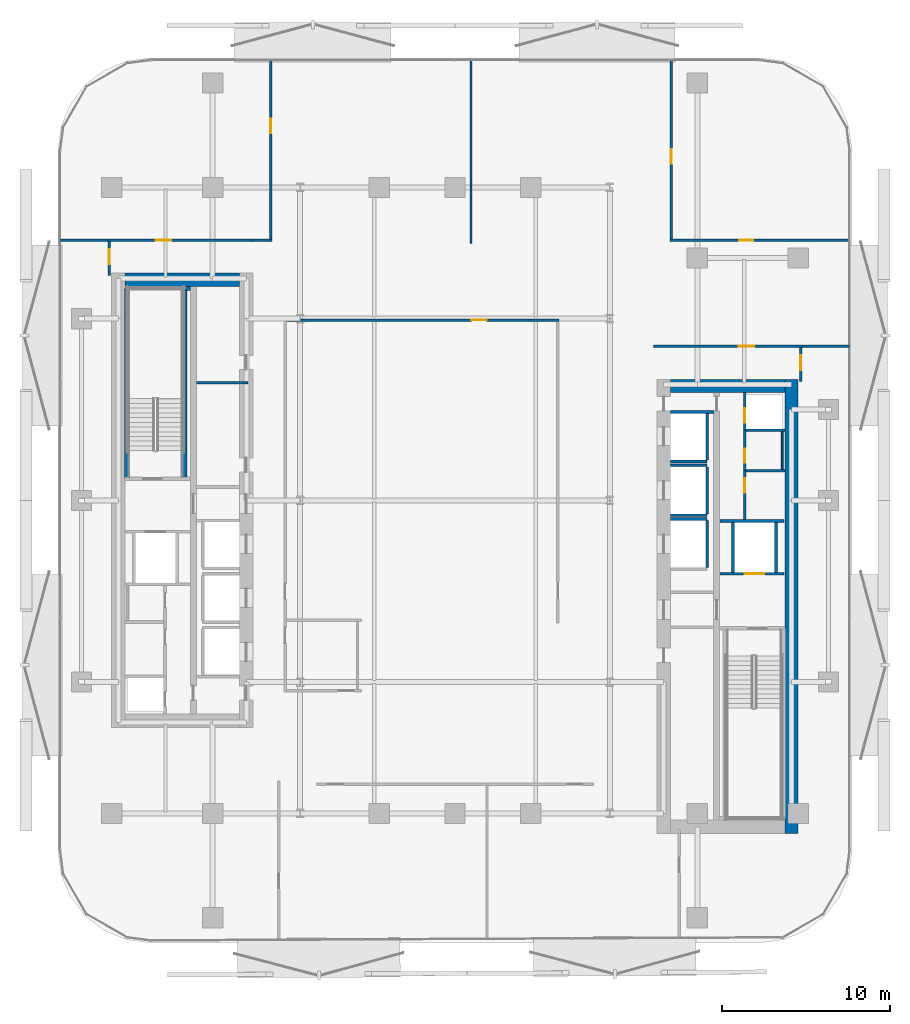
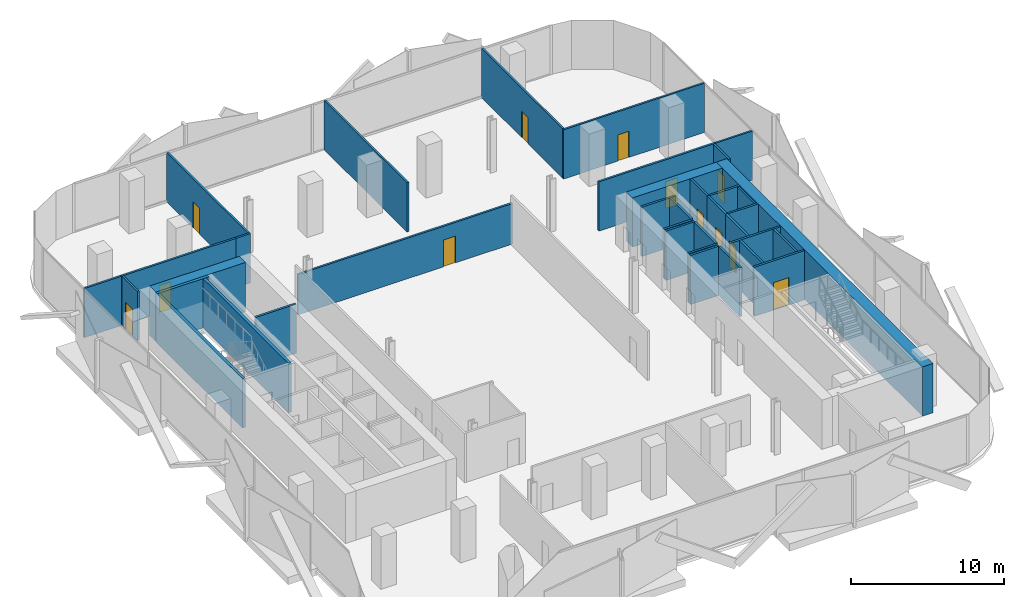
# One storey, part 5 of 15: 37 walls, 12 doors, 12 openings.
"""IFC4 building model written with IfcOpenShell, lengths in metres."""

from ifc_helpers import new_model, si_unit, direction, frame, frame_2d, origin, place, context, subcontext, project, spatial, rectangle, extrude, material, layer, layer_set, type_object, element, fill, save


model = new_model("IFC4")

# Units and contexts
model_context = context("Model", 3, precision=1e-05, world=origin(), true_north=direction((0.0, 1.0)))
body_context = subcontext(model_context, "Body", "Model", "MODEL_VIEW")
ifc_project = project(units=[si_unit("LENGTHUNIT", "METRE"), si_unit("AREAUNIT", "SQUARE_METRE"), si_unit("VOLUMEUNIT", "CUBIC_METRE"), si_unit("PLANEANGLEUNIT", "RADIAN"), si_unit("MASSUNIT", "GRAM", prefix="KILO")], contexts=[model_context])

# Site, building, storey
site_placement = place(None, origin())
site = spatial("IfcSite", under=ifc_project, at=site_placement, CompositionType="ELEMENT")
building_placement = place(site_placement, origin())
building = spatial("IfcBuilding", under=site, at=building_placement, Name="Khairoan Windgate Tower", CompositionType="ELEMENT")
storey_placement = place(building_placement, frame((0.0, 0.0, 143.60009765625)))
storey = spatial("IfcBuildingStorey", under=building, at=storey_placement, Name="L33", CompositionType="ELEMENT", Elevation=143.60009765625)

# Walls
ifc_material_1 = material(Name="Moisture-Resistant Gypsum Partition", Category="gypsum")
ifc_layer_1 = layer(ifc_material_1, 0.10009765625, Name="Moisture-Resistant Gypsum Partition")
ifc_layer_set_1 = layer_set([ifc_layer_1], Name="Moisture-Resistant Gypsum Partition")
wall_type_1 = type_object("IfcWallType", Name="Bathroom Wet-Area Partition Wall", PredefinedType="PARTITIONING", material=ifc_layer_set_1)
wall_1_placement = place(storey_placement, frame((19.449951171875, 4.090087890625, 0.0), z_axis=(0.0, 0.0, 1.0), x_axis=(0.0, -1.0, 0.0)))
element("IfcWall", 1, at=wall_1_placement, inside=storey, type_object=wall_type_1, Name="L33 Wet Room Side Wall 035", PredefinedType="PARTITIONING", context=body_context, shape_type="SweptSolid", body=[
    extrude(rectangle(XDim=2.239990234375, YDim=0.10009765625, at=frame_2d((1.1201171875, 0.0))), origin(), (0.0, 0.0, 1.0), 3.93994140625),
])
ifc_material_2 = material(Name="Concrete C40/50", Category="concrete")
ifc_layer_2 = layer(ifc_material_2, 0.159912109375, Name="Concrete C40/50")
ifc_layer_set_2 = layer_set([ifc_layer_2], Name="Concrete C40/50")
wall_type_2 = type_object("IfcWallType", Name="Core and Hoistway Enclosure Wall", PredefinedType="STANDARD", material=ifc_layer_set_2)
wall_2_placement = place(storey_placement, frame((12.800048828125, 2.31005859375, 0.0), z_axis=(0.0, 0.0, 1.0), x_axis=(1.0, 0.0, 0.0)))
element("IfcWall", 2, at=wall_2_placement, inside=storey, type_object=wall_type_2, Name="L33 Lift PL7 Hoistway Divider S", PredefinedType="STANDARD", context=body_context, shape_type="SweptSolid", body=[
    extrude(rectangle(XDim=2.18994140625, YDim=0.159912109375, at=frame_2d((1.094970703125, 0.0))), origin(), (0.0, 0.0, 1.0), 3.93994140625),
])
wall_3_placement = place(storey_placement, frame((14.989990234375, 2.39990234375, 0.0), z_axis=(0.0, 0.0, 1.0), x_axis=(0.0, 1.0, 0.0)))
element("IfcWall", 3, at=wall_3_placement, inside=storey, type_object=wall_type_2, Name="L33 Lift PL7 Hoistway Back Wall", PredefinedType="STANDARD", context=body_context, shape_type="SweptSolid", body=[
    extrude(rectangle(XDim=2.800048828125, YDim=0.159912109375, at=frame_2d((1.39990234375, 0.0))), origin(), (0.0, 0.0, 1.0), 3.93994140625),
])
for number, where, z_axis, x_axis, name in (
    (4, (12.800048828125, -0.889892578125, 0.0), (0.0, 0.0, 1.0), (1.0, 0.0, 0.0), "L33 Lift PL8 Hoistway Divider S"),
    (5, (12.800048828125, 2.090087890625, 0.0), (0.0, 0.0, 1.0), (1.0, 0.0, 0.0), "L33 Lift PL8 Hoistway Divider N"),
):
    element("IfcWall", number, at=place(storey_placement, frame(where, z_axis=z_axis, x_axis=x_axis)), inside=storey, type_object=wall_type_2, Name=name, PredefinedType="STANDARD", context=body_context, shape_type="SweptSolid", body=[
        extrude(rectangle(XDim=2.18994140625, YDim=0.159912109375, at=frame_2d((1.094970703125, 0.0))), origin(), (0.0, 0.0, 1.0), 3.93994140625),
    ])
wall_4_placement = place(storey_placement, frame((14.989990234375, -0.800048828125, 0.0), z_axis=(0.0, 0.0, 1.0), x_axis=(0.0, 1.0, 0.0)))
element("IfcWall", 6, at=wall_4_placement, inside=storey, type_object=wall_type_2, Name="L33 Lift PL8 Hoistway Back Wall", PredefinedType="STANDARD", context=body_context, shape_type="SweptSolid", body=[
    extrude(rectangle(XDim=2.800048828125, YDim=0.159912109375, at=frame_2d((1.39990234375, 0.0))), origin(), (0.0, 0.0, 1.0), 3.93994140625),
])
wall_5_placement = place(storey_placement, frame((12.800048828125, -1.110107421875, 0.0), z_axis=(0.0, 0.0, 1.0), x_axis=(1.0, 0.0, 0.0)))
element("IfcWall", 7, at=wall_5_placement, inside=storey, type_object=wall_type_2, Name="L33 Lift PL9 Hoistway Divider N", PredefinedType="STANDARD", context=body_context, shape_type="SweptSolid", body=[
    extrude(rectangle(XDim=2.18994140625, YDim=0.159912109375, at=frame_2d((1.094970703125, 0.0))), origin(), (0.0, 0.0, 1.0), 3.93994140625),
])
wall_6_placement = place(storey_placement, frame((14.989990234375, -4.0, 0.0), z_axis=(0.0, 0.0, 1.0), x_axis=(0.0, 1.0, 0.0)))
element("IfcWall", 8, at=wall_6_placement, inside=storey, type_object=wall_type_2, Name="L33 Lift PL9 Hoistway Back Wall", PredefinedType="STANDARD", context=body_context, shape_type="SweptSolid", body=[
    extrude(rectangle(XDim=2.800048828125, YDim=0.159912109375, at=frame_2d((1.39990234375, 0.0))), origin(), (0.0, 0.0, 1.0), 3.93994140625),
])

# Wall, opening, door
wall_7_placement = place(storey_placement, frame((15.75, -4.360107421875, 0.0), z_axis=(0.0, 0.0, 1.0), x_axis=(1.0, 0.0, 0.0)))
wall_7 = element("IfcWall", 9, at=wall_7_placement, inside=storey, type_object=wall_type_2, Name="L33 Core Shaft Wall SW-FL1-L33", PredefinedType="STANDARD", context=body_context, shape_type="SweptSolid", body=[
    extrude(rectangle(XDim=3.800048828125, YDim=0.159912109375, at=frame_2d((1.89990234375, 0.0))), origin(), (0.0, 0.0, 1.0), 3.93994140625),
])
opening_1_placement = place(wall_7_placement, frame((1.469970703125, 0.0, 0.0)))
opening_1 = element("IfcOpeningElement", 10, at=opening_1_placement, cuts=wall_7, Name="Opening LD-FL", PredefinedType="OPENING", context=body_context, shape_type="SweptSolid", body=[
    extrude(rectangle(XDim=1.14990234375, YDim=2.199951171875, at=frame_2d((0.574951171875, 1.10009765625))), frame((0.0, 0.08984375, 0.0), z_axis=(0.0, -1.0, 0.0), x_axis=(1.0, 0.0, 0.0)), (0.0, 0.0, 1.0), 0.179931640625),
])
ifc_material_3 = material(Name="Steel S355", Category="steel")
door_type_1 = type_object("IfcDoorType", Name="Firefighting Lift Sliding Landing Door LD-FL 1150x2200", OperationType="DOUBLE_DOOR_SLIDING", PredefinedType="DOOR", material=ifc_material_3)
door_1_placement = place(opening_1_placement, origin())
door_1 = element("IfcDoor", 11, at=door_1_placement, inside=storey, type_object=door_type_1, Name="L33 Firefighting Lift FL1 Landing Door", OperationType="DOUBLE_DOOR_SLIDING", OverallHeight=2.199951171875, OverallWidth=1.14990234375, PredefinedType="DOOR", context=body_context, shape_type="SweptSolid", body=[
    extrude(rectangle(XDim=1.14990234375, YDim=2.199951171875, at=frame_2d((0.574951171875, 1.10009765625))), frame((0.0, 0.02490234375, 0.0), z_axis=(0.0, -1.0, 0.0), x_axis=(1.0, 0.0, 0.0)), (0.0, 0.0, 1.0), 0.050048828125),
])
fill(opening_1, door_1)

# Walls
wall_8_placement = place(storey_placement, frame((15.75, -1.219970703125, 0.0), z_axis=(0.0, 0.0, 1.0), x_axis=(1.0, 0.0, 0.0)))
element("IfcWall", 12, at=wall_8_placement, inside=storey, type_object=wall_type_2, Name="L33 Core Shaft Wall SW-FL1T-L33", PredefinedType="STANDARD", context=body_context, shape_type="SweptSolid", body=[
    extrude(rectangle(XDim=3.800048828125, YDim=0.159912109375, at=frame_2d((1.89990234375, 0.0))), origin(), (0.0, 0.0, 1.0), 3.93994140625),
])
for number, where, z_axis, x_axis, name in (
    (13, (16.52001953125, -4.280029296875, 0.0), (0.0, 0.0, 1.0), (0.0, 1.0, 0.0), "L33 Core Shaft Wall SW-FL1W-L33"),
    (14, (19.080078125, -4.280029296875, 0.0), (0.0, 0.0, 1.0), (0.0, 1.0, 0.0), "L33 Core Shaft Wall SW-FL1E-L33"),
):
    element("IfcWall", number, at=place(storey_placement, frame(where, z_axis=z_axis, x_axis=x_axis)), inside=storey, type_object=wall_type_2, Name=name, PredefinedType="STANDARD", context=body_context, shape_type="SweptSolid", body=[
        extrude(rectangle(XDim=2.97998046875, YDim=0.159912109375, at=frame_2d((1.489990234375, 0.0))), origin(), (0.0, 0.0, 1.0), 3.93994140625),
    ])
wall_9_placement = place(storey_placement, frame((12.800048828125, 5.25, 0.0), z_axis=(0.0, 0.0, 1.0), x_axis=(1.0, 0.0, 0.0)))
element("IfcWall", 15, at=wall_9_placement, inside=storey, type_object=wall_type_2, Name="L33 Core Shaft Wall SW-ESV-L33", PredefinedType="STANDARD", context=body_context, shape_type="SweptSolid", body=[
    extrude(rectangle(XDim=2.599853515625, YDim=0.159912109375, at=frame_2d((1.2998046875, 0.0))), origin(), (0.0, 0.0, 1.0), 3.93994140625),
])
ifc_material_4 = material(Name="Acoustic Fire-Rated Gypsum Partition", Category="gypsum")
ifc_layer_3 = layer(ifc_material_4, 0.139892578125, Name="Acoustic Fire-Rated Gypsum Partition")
ifc_layer_set_3 = layer_set([ifc_layer_3], Name="Acoustic Fire-Rated Gypsum Partition")
wall_type_3 = type_object("IfcWallType", Name="Inter-Tenancy Compartment Wall", PredefinedType="PARTITIONING", material=ifc_layer_set_3)
for number, where, z_axis, x_axis, name in (
    (16, (-23.455078125, 15.4599609375, 0.0), (0.0, 0.0, 1.0), (1.0, 0.0, 0.0), "L33 Interior Partition 024"),
    (17, (20.639892578125, 9.159912109375, 0.0), (0.0, 0.0, 1.0), (1.0, 0.0, 0.0), "L33 Interior Partition 025"),
):
    element("IfcWall", number, at=place(storey_placement, frame(where, z_axis=z_axis, x_axis=x_axis)), inside=storey, type_object=wall_type_3, Name=name, PredefinedType="PARTITIONING", context=body_context, shape_type="SweptSolid", body=[
        extrude(rectangle(XDim=2.815185546875, YDim=0.139892578125, at=frame_2d((1.40771484375, 0.0))), origin(), (0.0, 0.0, 1.0), 3.93994140625),
    ])

# Wall, opening, door
wall_10_placement = place(storey_placement, frame((12.781982421875, 15.4599609375, 0.0), z_axis=(0.0, 0.0, 1.0), x_axis=(1.0, 0.0, 0.0)))
wall_10 = element("IfcWall", 18, at=wall_10_placement, inside=storey, type_object=wall_type_3, Name="L33 Interior Partition 026", PredefinedType="PARTITIONING", context=body_context, shape_type="SweptSolid", body=[
    extrude(rectangle(XDim=10.673095703125, YDim=0.139892578125, at=frame_2d((5.33642578125, 0.0))), origin(), (0.0, 0.0, 1.0), 3.93994140625),
])
opening_2_placement = place(wall_10_placement, frame((4.10205078125, 0.0, 0.0)))
opening_2 = element("IfcOpeningElement", 19, at=opening_2_placement, cuts=wall_10, Name="Opening FD-SRV", PredefinedType="OPENING", context=body_context, shape_type="SweptSolid", body=[
    extrude(rectangle(XDim=0.85009765625, YDim=2.10009765625, at=frame_2d((0.425048828125, 1.050048828125))), frame((0.0, 0.079833984375, 0.0), z_axis=(0.0, -1.0, 0.0), x_axis=(1.0, 0.0, 0.0)), (0.0, 0.0, 1.0), 0.159912109375),
])
ifc_material_5 = material(Name="Steel S355", Category="steel")
door_type_2 = type_object("IfcDoorType", Name="Core Service and Riser Fire Door FD-SRV 850x2100", OperationType="NOTDEFINED", PredefinedType="DOOR", material=ifc_material_5)
door_2_placement = place(opening_2_placement, origin())
door_2 = element("IfcDoor", 20, at=door_2_placement, inside=storey, type_object=door_type_2, Name="L33 L33-39-L33-43 Door", OperationType="SINGLE_SWING_RIGHT", OverallHeight=2.10009765625, OverallWidth=0.85009765625, PredefinedType="DOOR", context=body_context, shape_type="SweptSolid", body=[
    extrude(rectangle(XDim=0.85009765625, YDim=2.10009765625, at=frame_2d((0.425048828125, 1.050048828125))), frame((0.0, 0.02490234375, 0.0), z_axis=(0.0, -1.0, 0.0), x_axis=(1.0, 0.0, 0.0)), (0.0, 0.0, 1.0), 0.050048828125),
])
fill(opening_2, door_2)

wall_11_placement = place(storey_placement, frame((-10.947998046875, 15.534912109375, 0.0), z_axis=(0.0, 0.0, 1.0), x_axis=(0.0, 1.0, 0.0)))
wall_11 = element("IfcWall", 21, at=wall_11_placement, inside=storey, type_object=wall_type_3, Name="L33 Interior Partition 027", PredefinedType="PARTITIONING", context=body_context, shape_type="SweptSolid", body=[
    extrude(rectangle(XDim=10.6201171875, YDim=0.139892578125, at=frame_2d((5.31005859375, 0.0))), origin(), (0.0, 0.0, 1.0), 3.93994140625),
])
opening_3_placement = place(wall_11_placement, frame((6.29296875, 0.0, 0.0)))
opening_3 = element("IfcOpeningElement", 22, at=opening_3_placement, cuts=wall_11, Name="Opening FD-SRV", PredefinedType="OPENING", context=body_context, shape_type="SweptSolid", body=[
    extrude(rectangle(XDim=0.85009765625, YDim=2.10009765625, at=frame_2d((0.425048828125, 1.050048828125))), frame((0.0, 0.079833984375, 0.0), z_axis=(0.0, -1.0, 0.0), x_axis=(1.0, 0.0, 0.0)), (0.0, 0.0, 1.0), 0.159912109375),
])
door_3_placement = place(opening_3_placement, origin())
door_3 = element("IfcDoor", 23, at=door_3_placement, inside=storey, type_object=door_type_2, Name="L33 L33-40-L33-41 Door", OperationType="SINGLE_SWING_RIGHT", OverallHeight=2.10009765625, OverallWidth=0.85009765625, PredefinedType="DOOR", context=body_context, shape_type="SweptSolid", body=[
    extrude(rectangle(XDim=0.85009765625, YDim=2.10009765625, at=frame_2d((0.425048828125, 1.050048828125))), frame((0.0, 0.02490234375, 0.0), z_axis=(0.0, -1.0, 0.0), x_axis=(1.0, 0.0, 0.0)), (0.0, 0.0, 1.0), 0.050048828125),
])
fill(opening_3, door_3)

# Wall
wall_12_placement = place(storey_placement, frame((0.951904296875, 15.280029296875, 0.0), z_axis=(0.0, 0.0, 1.0), x_axis=(0.0, 1.0, 0.0)))
element("IfcWall", 24, at=wall_12_placement, inside=storey, type_object=wall_type_3, Name="L33 Interior Partition 028", PredefinedType="PARTITIONING", context=body_context, shape_type="SweptSolid", body=[
    extrude(rectangle(XDim=10.875, YDim=0.139892578125, at=frame_2d((5.4375, 0.0))), origin(), (0.0, 0.0, 1.0), 3.93994140625),
])

# Wall, opening, door
wall_13_placement = place(storey_placement, frame((12.85205078125, 15.530029296875, 0.0), z_axis=(0.0, 0.0, 1.0), x_axis=(0.0, 1.0, 0.0)))
wall_13 = element("IfcWall", 25, at=wall_13_placement, inside=storey, type_object=wall_type_3, Name="L33 Interior Partition 029", PredefinedType="PARTITIONING", context=body_context, shape_type="SweptSolid", body=[
    extrude(rectangle(XDim=10.625, YDim=0.139892578125, at=frame_2d((5.3125, 0.0))), origin(), (0.0, 0.0, 1.0), 3.93994140625),
])
opening_4_placement = place(wall_13_placement, frame((4.485107421875, 0.0, 0.0)))
opening_4 = element("IfcOpeningElement", 26, at=opening_4_placement, cuts=wall_13, Name="Opening FD-SRV", PredefinedType="OPENING", context=body_context, shape_type="SweptSolid", body=[
    extrude(rectangle(XDim=0.85009765625, YDim=2.10009765625, at=frame_2d((0.425048828125, 1.050048828125))), frame((0.0, 0.079833984375, 0.0), z_axis=(0.0, -1.0, 0.0), x_axis=(1.0, 0.0, 0.0)), (0.0, 0.0, 1.0), 0.159912109375),
])
door_4_placement = place(opening_4_placement, origin())
door_4 = element("IfcDoor", 27, at=door_4_placement, inside=storey, type_object=door_type_2, Name="L33 L33-42-L33-43 Door", OperationType="SINGLE_SWING_LEFT", OverallHeight=2.10009765625, OverallWidth=0.85009765625, PredefinedType="DOOR", context=body_context, shape_type="SweptSolid", body=[
    extrude(rectangle(XDim=0.85009765625, YDim=2.10009765625, at=frame_2d((0.425048828125, 1.050048828125))), frame((0.0, 0.02490234375, 0.0), z_axis=(0.0, -1.0, 0.0), x_axis=(1.0, 0.0, 0.0)), (0.0, 0.0, 1.0), 0.050048828125),
])
fill(opening_4, door_4)

# Wall
ifc_material_6 = material(Name="Concrete C40/50", Category="concrete")
ifc_layer_4 = layer(ifc_material_6, 0.159912109375, Name="Concrete C40/50")
ifc_layer_set_4 = layer_set([ifc_layer_4], Name="Concrete C40/50")
wall_type_4 = type_object("IfcWallType", Name="Plant and Refuge Compartment Wall", PredefinedType="PARTITIONING", material=ifc_layer_set_4)
wall_14_placement = place(storey_placement, frame((-15.375, 7.0, 0.0), z_axis=(0.0, 0.0, 1.0), x_axis=(1.0, 0.0, 0.0)))
element("IfcWall", 28, at=wall_14_placement, inside=storey, type_object=wall_type_4, Name="L33 Interior Partition 006", PredefinedType="PARTITIONING", context=body_context, shape_type="SweptSolid", body=[
    extrude(rectangle(XDim=3.06494140625, YDim=0.159912109375, at=frame_2d((1.532470703125, 0.0))), origin(), (0.0, 0.0, 1.0), 3.93994140625),
])

# Wall, opening, door
wall_15_placement = place(storey_placement, frame((17.22998046875, 4.169921875, 0.0), z_axis=(0.0, 0.0, 1.0), x_axis=(0.0, 1.0, 0.0)))
wall_15 = element("IfcWall", 29, at=wall_15_placement, inside=storey, type_object=wall_type_4, Name="L33 Interior Partition 007", PredefinedType="PARTITIONING", context=body_context, shape_type="SweptSolid", body=[
    extrude(rectangle(XDim=2.22998046875, YDim=0.159912109375, at=frame_2d((1.114990234375, 0.0))), origin(), (0.0, 0.0, 1.0), 3.93994140625),
])
opening_5_placement = place(wall_15_placement, frame((0.4599609375, 0.0, 0.0)))
opening_5 = element("IfcOpeningElement", 30, at=opening_5_placement, cuts=wall_15, Name="Opening FD-SRV", PredefinedType="OPENING", context=body_context, shape_type="SweptSolid", body=[
    extrude(rectangle(XDim=0.85009765625, YDim=2.10009765625, at=frame_2d((0.425048828125, 1.050048828125))), frame((0.0, 0.08984375, 0.0), z_axis=(0.0, -1.0, 0.0), x_axis=(1.0, 0.0, 0.0)), (0.0, 0.0, 1.0), 0.179931640625),
])
door_5_placement = place(opening_5_placement, origin())
door_5 = element("IfcDoor", 31, at=door_5_placement, inside=storey, type_object=door_type_2, Name="L33 L33-18-L33-19 Door", OperationType="SINGLE_SWING_LEFT", OverallHeight=2.10009765625, OverallWidth=0.85009765625, PredefinedType="DOOR", context=body_context, shape_type="SweptSolid", body=[
    extrude(rectangle(XDim=0.85009765625, YDim=2.10009765625, at=frame_2d((0.425048828125, 1.050048828125))), frame((0.0, 0.02490234375, 0.0), z_axis=(0.0, -1.0, 0.0), x_axis=(1.0, 0.0, 0.0)), (0.0, 0.0, 1.0), 0.050048828125),
])
fill(opening_5, door_5)

wall_16_placement = place(storey_placement, frame((17.22998046875, 1.77001953125, 0.0), z_axis=(0.0, 0.0, 1.0), x_axis=(0.0, 1.0, 0.0)))
wall_16 = element("IfcWall", 32, at=wall_16_placement, inside=storey, type_object=wall_type_4, Name="L33 Interior Partition 008", PredefinedType="PARTITIONING", context=body_context, shape_type="SweptSolid", body=[
    extrude(rectangle(XDim=2.39990234375, YDim=0.159912109375, at=frame_2d((1.199951171875, 0.0))), origin(), (0.0, 0.0, 1.0), 3.93994140625),
])
opening_6_placement = place(wall_16_placement, frame((0.4599609375, 0.0, 0.0)))
opening_6 = element("IfcOpeningElement", 33, at=opening_6_placement, cuts=wall_16, Name="Opening FD-SRV", PredefinedType="OPENING", context=body_context, shape_type="SweptSolid", body=[
    extrude(rectangle(XDim=0.85009765625, YDim=2.10009765625, at=frame_2d((0.425048828125, 1.050048828125))), frame((0.0, 0.08984375, 0.0), z_axis=(0.0, -1.0, 0.0), x_axis=(1.0, 0.0, 0.0)), (0.0, 0.0, 1.0), 0.179931640625),
])
door_6_placement = place(opening_6_placement, origin())
door_6 = element("IfcDoor", 34, at=door_6_placement, inside=storey, type_object=door_type_2, Name="L33 L33-18-L33-20 Door", OperationType="SINGLE_SWING_RIGHT", OverallHeight=2.10009765625, OverallWidth=0.85009765625, PredefinedType="DOOR", context=body_context, shape_type="SweptSolid", body=[
    extrude(rectangle(XDim=0.85009765625, YDim=2.10009765625, at=frame_2d((0.425048828125, 1.050048828125))), frame((0.0, 0.02490234375, 0.0), z_axis=(0.0, -1.0, 0.0), x_axis=(1.0, 0.0, 0.0)), (0.0, 0.0, 1.0), 0.050048828125),
])
fill(opening_6, door_6)

wall_17_placement = place(storey_placement, frame((17.22998046875, -1.139892578125, 0.0), z_axis=(0.0, 0.0, 1.0), x_axis=(0.0, 1.0, 0.0)))
wall_17 = element("IfcWall", 35, at=wall_17_placement, inside=storey, type_object=wall_type_4, Name="L33 Interior Partition 009", PredefinedType="PARTITIONING", context=body_context, shape_type="SweptSolid", body=[
    extrude(rectangle(XDim=2.909912109375, YDim=0.159912109375, at=frame_2d((1.455078125, 0.0))), origin(), (0.0, 0.0, 1.0), 3.93994140625),
])
opening_7_placement = place(wall_17_placement, frame((1.60009765625, 0.0, 0.0)))
opening_7 = element("IfcOpeningElement", 36, at=opening_7_placement, cuts=wall_17, Name="Opening FD-SRV", PredefinedType="OPENING", context=body_context, shape_type="SweptSolid", body=[
    extrude(rectangle(XDim=0.85009765625, YDim=2.10009765625, at=frame_2d((0.425048828125, 1.050048828125))), frame((0.0, 0.08984375, 0.0), z_axis=(0.0, -1.0, 0.0), x_axis=(1.0, 0.0, 0.0)), (0.0, 0.0, 1.0), 0.179931640625),
])
door_7_placement = place(opening_7_placement, origin())
door_7 = element("IfcDoor", 37, at=door_7_placement, inside=storey, type_object=door_type_2, Name="L33 L33-18-L33-21 Door", OperationType="SINGLE_SWING_LEFT", OverallHeight=2.10009765625, OverallWidth=0.85009765625, PredefinedType="DOOR", context=body_context, shape_type="SweptSolid", body=[
    extrude(rectangle(XDim=0.85009765625, YDim=2.10009765625, at=frame_2d((0.425048828125, 1.050048828125))), frame((0.0, 0.02490234375, 0.0), z_axis=(0.0, -1.0, 0.0), x_axis=(1.0, 0.0, 0.0)), (0.0, 0.0, 1.0), 0.050048828125),
])
fill(opening_7, door_7)

# Walls
for number, where, z_axis, x_axis, name in (
    (38, (17.31005859375, 4.169921875, 0.0), (0.0, 0.0, 1.0), (1.0, 0.0, 0.0), "L33 Interior Partition 010"),
    (39, (17.31005859375, 1.77001953125, 0.0), (0.0, 0.0, 1.0), (1.0, 0.0, 0.0), "L33 Interior Partition 011"),
):
    element("IfcWall", number, at=place(storey_placement, frame(where, z_axis=z_axis, x_axis=x_axis)), inside=storey, type_object=wall_type_4, Name=name, PredefinedType="PARTITIONING", context=body_context, shape_type="SweptSolid", body=[
        extrude(rectangle(XDim=2.2900390625, YDim=0.159912109375, at=frame_2d((1.14501953125, 0.0))), origin(), (0.0, 0.0, 1.0), 3.93994140625),
    ])
ifc_material_7 = material(Name="Acoustic Fire-Rated Gypsum Partition", Category="gypsum")
ifc_layer_5 = layer(ifc_material_7, 0.14990234375, Name="Acoustic Fire-Rated Gypsum Partition")
ifc_layer_set_5 = layer_set([ifc_layer_5], Name="Acoustic Fire-Rated Gypsum Partition")
wall_type_5 = type_object("IfcWallType", Name="Rated Corridor Partition Wall", PredefinedType="PARTITIONING", material=ifc_layer_set_5)
wall_18_placement = place(storey_placement, frame((-11.989990234375, 15.4599609375, 0.0), z_axis=(0.0, 0.0, 1.0), x_axis=(1.0, 0.0, 0.0)))
element("IfcWall", 40, at=wall_18_placement, inside=storey, type_object=wall_type_5, Name="L33 Interior Partition 012", PredefinedType="PARTITIONING", context=body_context, shape_type="SweptSolid", body=[
    extrude(rectangle(XDim=1.112060546875, YDim=0.14990234375, at=frame_2d((0.55615234375, 0.0))), origin(), (0.0, 0.0, 1.0), 3.93994140625),
])

# Wall, opening, door
wall_19_placement = place(storey_placement, frame((-10.02490234375, 10.719970703125, 0.0), z_axis=(0.0, 0.0, 1.0), x_axis=(1.0, 0.0, 0.0)))
wall_19 = element("IfcWall", 41, at=wall_19_placement, inside=storey, type_object=wall_type_5, Name="L33 Interior Partition 015", PredefinedType="PARTITIONING", context=body_context, shape_type="SweptSolid", body=[
    extrude(rectangle(XDim=16.219970703125, YDim=0.14990234375, at=frame_2d((8.10986328125, 0.0))), origin(), (0.0, 0.0, 1.0), 3.239990234375),
])
opening_8_placement = place(wall_19_placement, frame((11.006591796875, 0.0, 0.0)))
opening_8 = element("IfcOpeningElement", 42, at=opening_8_placement, cuts=wall_19, Name="Opening FD-ENT", PredefinedType="OPENING", context=body_context, shape_type="SweptSolid", body=[
    extrude(rectangle(XDim=0.89990234375, YDim=2.14990234375, at=frame_2d((0.449951171875, 1.074951171875))), frame((0.0, 0.0849609375, 0.0), z_axis=(0.0, -1.0, 0.0), x_axis=(1.0, 0.0, 0.0)), (0.0, 0.0, 1.0), 0.169921875),
])
ifc_material_8 = material(Name="Timber Fire-Rated Core", Category="wood")
door_type_3 = type_object("IfcDoorType", Name="Unit and Office Fire Entrance Door FD-ENT 900x2150", OperationType="NOTDEFINED", PredefinedType="DOOR", material=ifc_material_8)
door_8_placement = place(opening_8_placement, origin())
door_8 = element("IfcDoor", 43, at=door_8_placement, inside=storey, type_object=door_type_3, Name="L33 L33-30-L33-49 Door", OperationType="SINGLE_SWING_LEFT", OverallHeight=2.14990234375, OverallWidth=0.89990234375, PredefinedType="DOOR", context=body_context, shape_type="SweptSolid", body=[
    extrude(rectangle(XDim=0.89990234375, YDim=2.14990234375, at=frame_2d((0.449951171875, 1.074951171875))), frame((0.0, 0.02490234375, 0.0), z_axis=(0.0, -1.0, 0.0), x_axis=(1.0, 0.0, 0.0)), (0.0, 0.0, 1.0), 0.050048828125),
])
fill(opening_8, door_8)

wall_20_placement = place(storey_placement, frame((-20.5400390625, 13.360107421875, 0.0), z_axis=(0.0, 0.0, 1.0), x_axis=(0.0, 1.0, 0.0)))
wall_20 = element("IfcWall", 44, at=wall_20_placement, inside=storey, type_object=wall_type_5, Name="L33 Interior Partition 018", PredefinedType="PARTITIONING", context=body_context, shape_type="SweptSolid", body=[
    extrude(rectangle(XDim=2.02490234375, YDim=0.14990234375, at=frame_2d((1.012451171875, 0.0))), origin(), (0.0, 0.0, 1.0), 3.93994140625),
])
opening_9_placement = place(wall_20_placement, frame((0.6650390625, 0.0, 0.0)))
opening_9 = element("IfcOpeningElement", 45, at=opening_9_placement, cuts=wall_20, Name="Opening FD-ENT", PredefinedType="OPENING", context=body_context, shape_type="SweptSolid", body=[
    extrude(rectangle(XDim=0.89990234375, YDim=2.14990234375, at=frame_2d((0.449951171875, 1.074951171875))), frame((0.0, 0.0849609375, 0.0), z_axis=(0.0, -1.0, 0.0), x_axis=(1.0, 0.0, 0.0)), (0.0, 0.0, 1.0), 0.169921875),
])
door_9_placement = place(opening_9_placement, origin())
door_9 = element("IfcDoor", 46, at=door_9_placement, inside=storey, type_object=door_type_3, Name="L33 L33-33-L33-37 Door", OperationType="SINGLE_SWING_RIGHT", OverallHeight=2.14990234375, OverallWidth=0.89990234375, PredefinedType="DOOR", context=body_context, shape_type="SweptSolid", body=[
    extrude(rectangle(XDim=0.89990234375, YDim=2.14990234375, at=frame_2d((0.449951171875, 1.074951171875))), frame((0.0, 0.02490234375, 0.0), z_axis=(0.0, -1.0, 0.0), x_axis=(1.0, 0.0, 0.0)), (0.0, 0.0, 1.0), 0.050048828125),
])
fill(opening_9, door_9)

wall_21_placement = place(storey_placement, frame((-20.639892578125, 15.4599609375, 0.0), z_axis=(0.0, 0.0, 1.0), x_axis=(1.0, 0.0, 0.0)))
wall_21 = element("IfcWall", 47, at=wall_21_placement, inside=storey, type_object=wall_type_5, Name="L33 Interior Partition 019", PredefinedType="PARTITIONING", context=body_context, shape_type="SweptSolid", body=[
    extrude(rectangle(XDim=8.64990234375, YDim=0.14990234375, at=frame_2d((4.324951171875, 0.0))), origin(), (0.0, 0.0, 1.0), 3.93994140625),
])
opening_10_placement = place(wall_21_placement, frame((2.87060546875, 0.0, 0.0)))
opening_10 = element("IfcOpeningElement", 48, at=opening_10_placement, cuts=wall_21, Name="Opening FD-ENT", PredefinedType="OPENING", context=body_context, shape_type="SweptSolid", body=[
    extrude(rectangle(XDim=0.89990234375, YDim=2.14990234375, at=frame_2d((0.449951171875, 1.074951171875))), frame((0.0, 0.0849609375, 0.0), z_axis=(0.0, -1.0, 0.0), x_axis=(1.0, 0.0, 0.0)), (0.0, 0.0, 1.0), 0.169921875),
])
door_10_placement = place(opening_10_placement, origin())
door_10 = element("IfcDoor", 49, at=door_10_placement, inside=storey, type_object=door_type_3, Name="L33 L33-33-L33-40 Door", OperationType="SINGLE_SWING_LEFT", OverallHeight=2.14990234375, OverallWidth=0.89990234375, PredefinedType="DOOR", context=body_context, shape_type="SweptSolid", body=[
    extrude(rectangle(XDim=0.89990234375, YDim=2.14990234375, at=frame_2d((0.449951171875, 1.074951171875))), frame((0.0, 0.02490234375, 0.0), z_axis=(0.0, -1.0, 0.0), x_axis=(1.0, 0.0, 0.0)), (0.0, 0.0, 1.0), 0.050048828125),
])
fill(opening_10, door_10)

wall_22_placement = place(storey_placement, frame((20.5400390625, 7.06005859375, 0.0), z_axis=(0.0, 0.0, 1.0), x_axis=(0.0, 1.0, 0.0)))
wall_22 = element("IfcWall", 50, at=wall_22_placement, inside=storey, type_object=wall_type_5, Name="L33 Interior Partition 020", PredefinedType="PARTITIONING", context=body_context, shape_type="SweptSolid", body=[
    extrude(rectangle(XDim=2.02490234375, YDim=0.14990234375, at=frame_2d((1.012451171875, 0.0))), origin(), (0.0, 0.0, 1.0), 3.93994140625),
])
opening_11_placement = place(wall_22_placement, frame((0.6650390625, 0.0, 0.0)))
opening_11 = element("IfcOpeningElement", 51, at=opening_11_placement, cuts=wall_22, Name="Opening FD-ENT", PredefinedType="OPENING", context=body_context, shape_type="SweptSolid", body=[
    extrude(rectangle(XDim=0.89990234375, YDim=2.14990234375, at=frame_2d((0.449951171875, 1.074951171875))), frame((0.0, 0.0849609375, 0.0), z_axis=(0.0, -1.0, 0.0), x_axis=(1.0, 0.0, 0.0)), (0.0, 0.0, 1.0), 0.169921875),
])
door_11_placement = place(opening_11_placement, origin())
door_11 = element("IfcDoor", 52, at=door_11_placement, inside=storey, type_object=door_type_3, Name="L33 L33-34-L33-38 Door", OperationType="SINGLE_SWING_RIGHT", OverallHeight=2.14990234375, OverallWidth=0.89990234375, PredefinedType="DOOR", context=body_context, shape_type="SweptSolid", body=[
    extrude(rectangle(XDim=0.89990234375, YDim=2.14990234375, at=frame_2d((0.449951171875, 1.074951171875))), frame((0.0, 0.02490234375, 0.0), z_axis=(0.0, -1.0, 0.0), x_axis=(1.0, 0.0, 0.0)), (0.0, 0.0, 1.0), 0.050048828125),
])
fill(opening_11, door_11)

wall_23_placement = place(storey_placement, frame((11.81005859375, 9.159912109375, 0.0), z_axis=(0.0, 0.0, 1.0), x_axis=(1.0, 0.0, 0.0)))
wall_23 = element("IfcWall", 53, at=wall_23_placement, inside=storey, type_object=wall_type_5, Name="L33 Interior Partition 021", PredefinedType="PARTITIONING", context=body_context, shape_type="SweptSolid", body=[
    extrude(rectangle(XDim=8.829833984375, YDim=0.14990234375, at=frame_2d((4.4150390625, 0.0))), origin(), (0.0, 0.0, 1.0), 3.93994140625),
])
opening_12_placement = place(wall_23_placement, frame((5.066650390625, 0.0, 0.0)))
opening_12 = element("IfcOpeningElement", 54, at=opening_12_placement, cuts=wall_23, Name="Opening FD-ENT", PredefinedType="OPENING", context=body_context, shape_type="SweptSolid", body=[
    extrude(rectangle(XDim=0.89990234375, YDim=2.14990234375, at=frame_2d((0.449951171875, 1.074951171875))), frame((0.0, 0.0849609375, 0.0), z_axis=(0.0, -1.0, 0.0), x_axis=(1.0, 0.0, 0.0)), (0.0, 0.0, 1.0), 0.169921875),
])
door_12_placement = place(opening_12_placement, origin())
door_12 = element("IfcDoor", 55, at=door_12_placement, inside=storey, type_object=door_type_3, Name="L33 L33-34-L33-39 Door", OperationType="SINGLE_SWING_LEFT", OverallHeight=2.14990234375, OverallWidth=0.89990234375, PredefinedType="DOOR", context=body_context, shape_type="SweptSolid", body=[
    extrude(rectangle(XDim=0.89990234375, YDim=2.14990234375, at=frame_2d((0.449951171875, 1.074951171875))), frame((0.0, 0.02490234375, 0.0), z_axis=(0.0, -1.0, 0.0), x_axis=(1.0, 0.0, 0.0)), (0.0, 0.0, 1.0), 0.050048828125),
])
fill(opening_12, door_12)

# Walls
ifc_material_9 = material(Name="Concrete C70/85", Category="concrete")
ifc_layer_6 = layer(ifc_material_9, 0.800048828125, Name="Concrete C70/85")
ifc_layer_set_6 = layer_set([ifc_layer_6], Name="Concrete C70/85")
wall_type_6 = type_object("IfcWallType", Name="Shear Wall CW-E1 800mm", PredefinedType="SHEAR", material=ifc_layer_set_6)
wall_24_placement = place(storey_placement, frame((20.0, -19.800048828125, 0.0), z_axis=(0.0, 0.0, 1.0), x_axis=(0.0, 1.0, 0.0)))
element("IfcWall", 56, at=wall_24_placement, inside=storey, type_object=wall_type_6, Name="E Core East Shear Wall L33", PredefinedType="SHEAR", context=body_context, shape_type="SweptSolid", body=[
    extrude(rectangle(XDim=27.0, YDim=0.800048828125, at=frame_2d((13.5, 0.0))), origin(), (0.0, 0.0, 1.0), 3.93994140625),
])
wall_25_placement = place(storey_placement, frame((12.800048828125, 6.800048828125, 0.0), z_axis=(0.0, 0.0, 1.0), x_axis=(1.0, 0.0, 0.0)))
element("IfcWall", 57, at=wall_25_placement, inside=storey, type_object=wall_type_6, Name="E Core North Shear Wall L33", PredefinedType="SHEAR", context=body_context, shape_type="SweptSolid", body=[
    extrude(rectangle(XDim=6.800048828125, YDim=0.800048828125, at=frame_2d((3.39990234375, 0.0))), origin(), (0.0, 0.0, 1.0), 3.93994140625),
])
ifc_material_10 = material(Name="Concrete C70/85", Category="concrete")
ifc_layer_7 = layer(ifc_material_10, 0.800048828125, Name="Concrete C70/85")
ifc_layer_set_7 = layer_set([ifc_layer_7], Name="Concrete C70/85")
wall_type_7 = type_object("IfcWallType", Name="Shear Wall CW-W1 800mm", PredefinedType="SHEAR", material=ifc_layer_set_7)
wall_26_placement = place(storey_placement, frame((-19.60009765625, 13.10009765625, 0.0), z_axis=(0.0, 0.0, 1.0), x_axis=(1.0, 0.0, 0.0)))
element("IfcWall", 58, at=wall_26_placement, inside=storey, type_object=wall_type_7, Name="W Core North Shear Wall L33", PredefinedType="SHEAR", context=body_context, shape_type="SweptSolid", body=[
    extrude(rectangle(XDim=6.800048828125, YDim=0.800048828125, at=frame_2d((3.39990234375, 0.0))), origin(), (0.0, 0.0, 1.0), 3.93994140625),
])
ifc_material_11 = material(Name="Concrete C50/60", Category="concrete")
ifc_layer_8 = layer(ifc_material_11, 0.219970703125, Name="Concrete C50/60")
ifc_layer_set_8 = layer_set([ifc_layer_8], Name="Concrete C50/60")
wall_type_8 = type_object("IfcWallType", Name="Shear Wall SW-ST 220mm", PredefinedType="SHEAR", material=ifc_layer_set_8)
for number, where, z_axis, x_axis, name in (
    (59, (-16.0400390625, 1.2900390625, 0.0), (0.0, 0.0, 1.0), (0.0, 1.0, 0.0), "L33 Stair ST2 East Bearing Wall"),
    (60, (-19.530029296875, 1.2900390625, 0.0), (0.0, 0.0, 1.0), (0.0, 1.0, 0.0), "L33 Stair ST2 West Bearing Wall"),
):
    element("IfcWall", number, at=place(storey_placement, frame(where, z_axis=z_axis, x_axis=x_axis)), inside=storey, type_object=wall_type_8, Name=name, PredefinedType="SHEAR", context=body_context, shape_type="SweptSolid", body=[
        extrude(rectangle(XDim=11.300048828125, YDim=0.219970703125, at=frame_2d((5.64990234375, 0.0))), origin(), (0.0, 0.0, 1.0), 3.93994140625),
    ])
wall_27_placement = place(storey_placement, frame((-19.6201171875, 12.590087890625, 0.0), z_axis=(0.0, 0.0, 1.0), x_axis=(1.0, 0.0, 0.0)))
element("IfcWall", 61, at=wall_27_placement, inside=storey, type_object=wall_type_8, Name="L33 Stair ST2 North Bearing Wall", PredefinedType="SHEAR", context=body_context, shape_type="SweptSolid", body=[
    extrude(rectangle(XDim=3.9150390625, YDim=0.219970703125, at=frame_2d((1.95751953125, 0.0))), origin(), (0.0, 0.0, 1.0), 3.93994140625),
])

save(model, "model.ifc")
